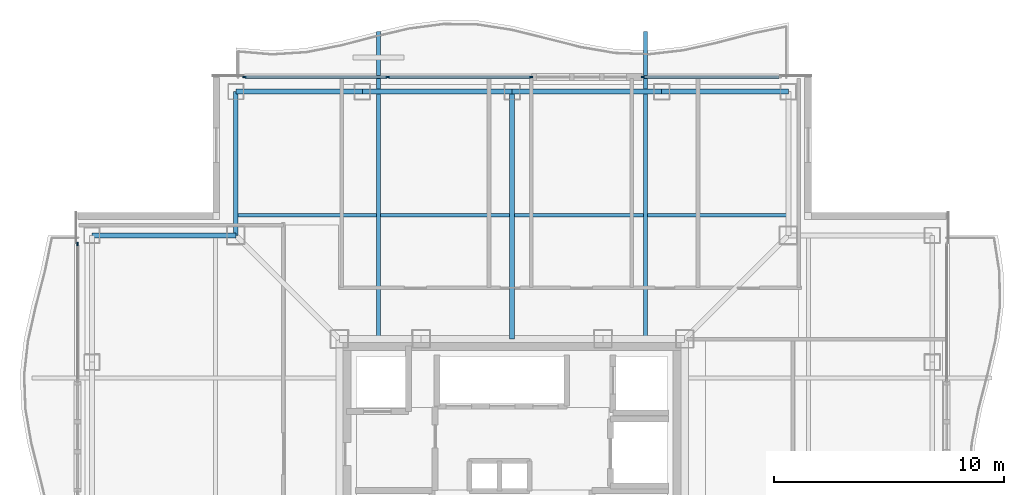
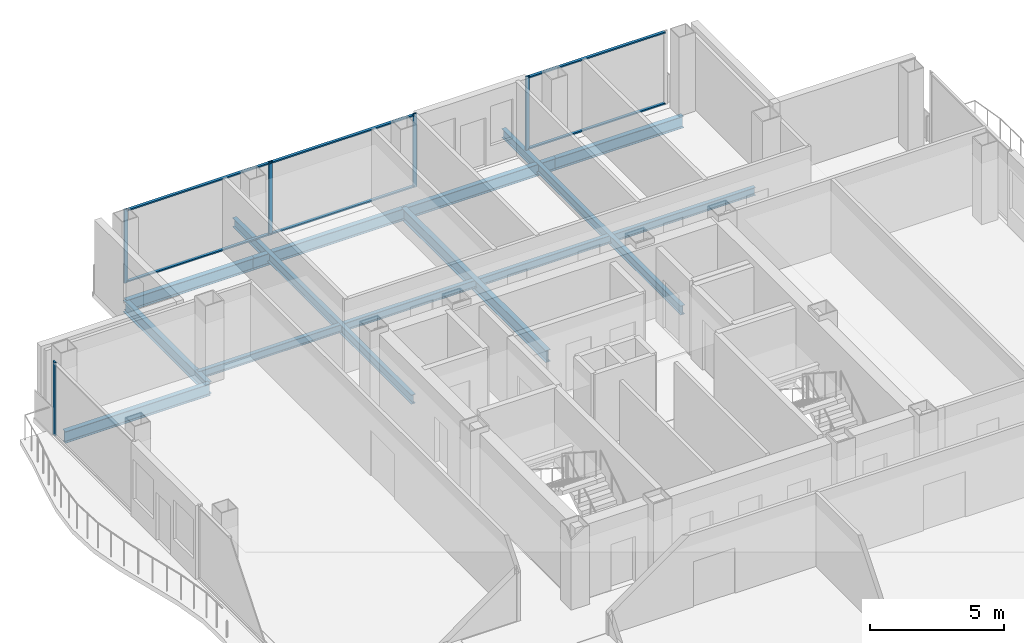
# One storey, part 7 of 17: 11 members, 10 beams, 3 elements without a shape of their own.
"""IFC4 building model written with IfcOpenShell, lengths in metres."""

from ifc_helpers import new_model, si_unit, direction, frame, origin, origin_2d, place, context, subcontext, project, spatial, rectangle, i_section, extrude, material, layer, layer_set, material_profile, profile_set, type_object, element, aggregate, save


model = new_model("IFC4")

# Units and contexts
model_context = context("Model", 3, precision=1e-05, world=origin(), true_north=direction((0.0, 1.0)))
body_context = subcontext(model_context, "Body", "Model", "MODEL_VIEW")
ifc_project = project(units=[si_unit("LENGTHUNIT", "METRE"), si_unit("AREAUNIT", "SQUARE_METRE"), si_unit("VOLUMEUNIT", "CUBIC_METRE"), si_unit("PLANEANGLEUNIT", "RADIAN"), si_unit("MASSUNIT", "GRAM", prefix="KILO")], contexts=[model_context])

# Site, building, storey
site_placement = place(None, origin())
site = spatial("IfcSite", under=ifc_project, at=site_placement, CompositionType="ELEMENT")
building_placement = place(site_placement, origin())
building = spatial("IfcBuilding", under=site, at=building_placement, Name="Trevonay Congress Spire", CompositionType="ELEMENT")
storey_placement = place(building_placement, frame((0.0, 0.0, 264.800048828125)))
storey = spatial("IfcBuildingStorey", under=building, at=storey_placement, Name="L69", CompositionType="ELEMENT", Elevation=264.800048828125)

# Beams
ifc_material_1 = material(Name="Steel ASTM A572 Grade 50", Category="steel")
ifc_material_profile_1 = material_profile(ifc_material_1, i_section(OverallWidth=0.2119140625, OverallDepth=0.5439453125, WebThickness=0.01318359375, FlangeThickness=0.021240234375, FilletRadius=0.014892578125, at=origin_2d()), Name="W530x123")
ifc_profile_set_1 = profile_set([ifc_material_profile_1], Name="Steel ASTM A572 Grade 50")
beam_type_1 = type_object("IfcBeamType", Name="BM-GIRD-W530X123", PredefinedType="BEAM", material=ifc_profile_set_1)
beam_1_placement = place(storey_placement, frame((0.0, 7.5, -0.511962890625), z_axis=(0.0, 1.0, 0.0), x_axis=(-1.0, 0.0, 0.0)))
element("IfcBeam", 1, at=beam_1_placement, inside=storey, type_object=beam_type_1, Name="L69 structural beam BM-L69-GC-N", PredefinedType="BEAM", context=body_context, shape_type="SweptSolid", body=[
    extrude(i_section(OverallWidth=0.2119140625, OverallDepth=0.5439453125, WebThickness=0.01318359375, FlangeThickness=0.021240234375, FilletRadius=0.014892578125, at=origin_2d()), origin(), (0.0, 0.0, 1.0), 10.75),
])
ifc_material_profile_2 = material_profile(ifc_material_1, i_section(OverallWidth=0.208984375, OverallDepth=0.532958984375, WebThickness=0.01025390625, FlangeThickness=0.015625, FilletRadius=0.014892578125, at=origin_2d()), Name="W530x92")
ifc_profile_set_2 = profile_set([ifc_material_profile_2], Name="Steel ASTM A572 Grade 50")
beam_type_2 = type_object("IfcBeamType", Name="BM-RING-W530X92", PredefinedType="BEAM", material=ifc_profile_set_2)
beam_2_placement = place(storey_placement, frame((-12.0, 18.25, -0.506591796875), z_axis=(1.0, 0.0, 0.0), x_axis=(0.0, 1.0, 0.0)))
element("IfcBeam", 2, at=beam_2_placement, inside=storey, type_object=beam_type_2, Name="L69 structural beam BM-L69-PN1", PredefinedType="BEAM", context=body_context, shape_type="SweptSolid", body=[
    extrude(i_section(OverallWidth=0.208984375, OverallDepth=0.532958984375, WebThickness=0.01025390625, FlangeThickness=0.015625, FilletRadius=0.014892578125, at=origin_2d()), origin(), (0.0, 0.0, 1.0), 5.5),
])
for number, where, z_axis, x_axis, name in (
    (3, (-6.5, 18.25, -0.506591796875), (1.0, 0.0, 0.0), (0.0, 1.0, 0.0), "L69 structural beam BM-L69-PN2"),
    (4, (0.0, 18.25, -0.506591796875), (1.0, 0.0, 0.0), (0.0, 1.0, 0.0), "L69 structural beam BM-L69-PN3"),
):
    element("IfcBeam", number, at=place(storey_placement, frame(where, z_axis=z_axis, x_axis=x_axis)), inside=storey, type_object=beam_type_2, Name=name, PredefinedType="BEAM", context=body_context, shape_type="SweptSolid", body=[
        extrude(i_section(OverallWidth=0.208984375, OverallDepth=0.532958984375, WebThickness=0.01025390625, FlangeThickness=0.015625, FilletRadius=0.014892578125, at=origin_2d()), origin(), (0.0, 0.0, 1.0), 6.5),
    ])
beam_3_placement = place(storey_placement, frame((6.5, 18.25, -0.506591796875), z_axis=(1.0, 0.0, 0.0), x_axis=(0.0, 1.0, 0.0)))
element("IfcBeam", 5, at=beam_3_placement, inside=storey, type_object=beam_type_2, Name="L69 structural beam BM-L69-PN4", PredefinedType="BEAM", context=body_context, shape_type="SweptSolid", body=[
    extrude(i_section(OverallWidth=0.208984375, OverallDepth=0.532958984375, WebThickness=0.01025390625, FlangeThickness=0.015625, FilletRadius=0.014892578125, at=origin_2d()), origin(), (0.0, 0.0, 1.0), 5.5),
])
for number, where, z_axis, x_axis, name in (
    (6, (-12.0, 18.25, -0.506591796875), (0.0, -1.0, 0.0), (1.0, 0.0, 0.0), "L69 structural beam BM-L69-N1NW"),
    (7, (-18.25, 12.0, -0.506591796875), (1.0, 0.0, 0.0), (0.0, 1.0, 0.0), "L69 structural beam BM-L69-N2NW"),
):
    element("IfcBeam", number, at=place(storey_placement, frame(where, z_axis=z_axis, x_axis=x_axis)), inside=storey, type_object=beam_type_2, Name=name, PredefinedType="BEAM", context=body_context, shape_type="SweptSolid", body=[
        extrude(i_section(OverallWidth=0.208984375, OverallDepth=0.532958984375, WebThickness=0.01025390625, FlangeThickness=0.015625, FilletRadius=0.014892578125, at=origin_2d()), origin(), (0.0, 0.0, 1.0), 6.25),
    ])
ifc_material_profile_3 = material_profile(ifc_material_1, i_section(OverallWidth=0.180908203125, OverallDepth=0.4169921875, WebThickness=0.010986328125, FlangeThickness=0.018310546875, FilletRadius=0.012939453125, at=origin_2d()), Name="W410x85")
ifc_profile_set_3 = profile_set([ifc_material_profile_3], Name="Steel ASTM A572 Grade 50")
beam_type_3 = type_object("IfcBeamType", Name="BM-WAV-LOOKOUT", PredefinedType="BEAM", material=ifc_profile_set_3)
for number, where, z_axis, x_axis, name in (
    (8, (-5.800048828125, 7.5, -0.448486328125), (0.0, 1.0, 0.0), (-1.0, 0.0, 0.0), "L69 structural beam WLK-L69-N1"),
    (9, (5.800048828125, 7.5, -0.448486328125), (0.0, 1.0, 0.0), (-1.0, 0.0, 0.0), "L69 structural beam WLK-L69-N2"),
):
    element("IfcBeam", number, at=place(storey_placement, frame(where, z_axis=z_axis, x_axis=x_axis)), inside=storey, type_object=beam_type_3, Name=name, PredefinedType="BEAM", context=body_context, shape_type="SweptSolid", body=[
        extrude(i_section(OverallWidth=0.180908203125, OverallDepth=0.4169921875, WebThickness=0.010986328125, FlangeThickness=0.018310546875, FilletRadius=0.012939453125, at=origin_2d()), origin(), (0.0, 0.0, 1.0), 13.35009765625),
    ])

# Curtain wall, members
ifc_material_2 = material(Name="Pale Anodised Aluminium EN AW-6063-T6", Category="aluminium")
ifc_layer = layer(ifc_material_2, 0.1650390625, Name="Pale Anodised Aluminium EN AW-6063-T6")
ifc_layer_set = layer_set([ifc_layer], Name="Pale Anodised Aluminium EN AW-6063-T6")
curtain_wall_type = type_object("IfcCurtainWallType", Name="CW-SYS05-DIPLOM-PALE-METAL", PredefinedType="NOTDEFINED", material=ifc_layer_set)
curtain_wall_1_placement = place(storey_placement, origin())
curtain_wall_1 = element("IfcCurtainWall", 10, at=curtain_wall_1_placement, inside=storey, type_object=curtain_wall_type, Name="L69 NA unitised curtain wall", PredefinedType="NOTDEFINED")
ifc_material_profile_4 = material_profile(ifc_material_2, rectangle(XDim=0.06005859375, YDim=0.159912109375, at=origin_2d()), Name="CW-MULLION-160-ALUMINIUM")
ifc_profile_set_4 = profile_set([ifc_material_profile_4], Name="Pale Anodised Aluminium EN AW-6063-T6")
member_type_1 = type_object("IfcMemberType", Name="CW-MULLION-160-ALUMINIUM", PredefinedType="MULLION", material=ifc_profile_set_4)
member_1_placement = place(storey_placement, frame((-11.6201171875, 18.8798828125, 0.0), z_axis=(0.0, 0.0, 1.0), x_axis=(0.0, 1.0, 0.0)))
member_1 = element("IfcMember", 11, at=member_1_placement, type_object=member_type_1, Name="CW05 mullion 1", PredefinedType="MULLION", context=body_context, shape_type="SweptSolid", body=[
    extrude(rectangle(XDim=0.06005859375, YDim=0.159912109375, at=origin_2d()), origin(), (0.0, 0.0, 1.0), 3.35986328125),
])
member_2_placement = place(storey_placement, frame((-5.39990234375, 18.8798828125, 0.0), z_axis=(0.0, 0.0, 1.0), x_axis=(0.0, 1.0, 0.0)))
member_2 = element("IfcMember", 12, at=member_2_placement, type_object=member_type_1, Name="CW05 mullion 2", PredefinedType="MULLION", context=body_context, shape_type="SweptSolid", body=[
    extrude(rectangle(XDim=0.06005859375, YDim=0.159912109375, at=origin_2d()), origin(), (0.0, 0.0, 1.0), 3.35986328125),
])
member_3_placement = place(storey_placement, frame((0.820068359375, 18.8798828125, 0.0), z_axis=(0.0, 0.0, 1.0), x_axis=(0.0, 1.0, 0.0)))
member_3 = element("IfcMember", 13, at=member_3_placement, type_object=member_type_1, Name="CW05 mullion 3", PredefinedType="MULLION", context=body_context, shape_type="SweptSolid", body=[
    extrude(rectangle(XDim=0.06005859375, YDim=0.159912109375, at=origin_2d()), origin(), (0.0, 0.0, 1.0), 3.35986328125),
])

# Curtain wall, member
curtain_wall_2_placement = place(storey_placement, origin())
curtain_wall_2 = element("IfcCurtainWall", 14, at=curtain_wall_2_placement, inside=storey, type_object=curtain_wall_type, Name="L69 NB unitised curtain wall", PredefinedType="NOTDEFINED")
member_4_placement = place(storey_placement, frame((5.679931640625, 18.8798828125, 0.0), z_axis=(0.0, 0.0, 1.0), x_axis=(0.0, 1.0, 0.0)))
member_4 = element("IfcMember", 15, at=member_4_placement, type_object=member_type_1, Name="CW05 mullion 1", PredefinedType="MULLION", context=body_context, shape_type="SweptSolid", body=[
    extrude(rectangle(XDim=0.06005859375, YDim=0.159912109375, at=origin_2d()), origin(), (0.0, 0.0, 1.0), 3.35986328125),
])

curtain_wall_3_placement = place(storey_placement, origin())
curtain_wall_3 = element("IfcCurtainWall", 16, at=curtain_wall_3_placement, inside=storey, type_object=curtain_wall_type, Name="L69 WB unitised curtain wall", PredefinedType="NOTDEFINED")
member_5_placement = place(storey_placement, frame((-18.8798828125, 11.6201171875, 0.0), z_axis=(0.0, 0.0, 1.0), x_axis=(-1.0, 0.0, 0.0)))
member_5 = element("IfcMember", 17, at=member_5_placement, type_object=member_type_1, Name="CW05 mullion 2", PredefinedType="MULLION", context=body_context, shape_type="SweptSolid", body=[
    extrude(rectangle(XDim=0.06005859375, YDim=0.159912109375, at=origin_2d()), origin(), (0.0, 0.0, 1.0), 3.35986328125),
])
aggregate(curtain_wall_3, [member_5])

# Member
ifc_material_profile_5 = material_profile(ifc_material_2, rectangle(XDim=0.1201171875, YDim=0.06005859375, at=origin_2d()), Name="CW-TRANSOM-120-ALUMINIUM")
ifc_profile_set_5 = profile_set([ifc_material_profile_5], Name="Pale Anodised Aluminium EN AW-6063-T6")
member_type_2 = type_object("IfcMemberType", Name="CW-TRANSOM-120-ALUMINIUM", PredefinedType="USERDEFINED", material=ifc_profile_set_5)
member_6_placement = place(storey_placement, frame((-11.590087890625, 18.8798828125, 0.06005859375), z_axis=(1.0, 0.0, 0.0), x_axis=(0.0, 1.0, 0.0)))
member_6 = element("IfcMember", 18, at=member_6_placement, type_object=member_type_2, Name="CW05 transom 1.1", ObjectType="TRANSOM", PredefinedType="USERDEFINED", context=body_context, shape_type="SweptSolid", body=[
    extrude(rectangle(XDim=0.1201171875, YDim=0.06005859375, at=origin_2d()), origin(), (0.0, 0.0, 1.0), 6.16015625),
])

member_7_placement = place(storey_placement, frame((-11.590087890625, 18.8798828125, 3.300048828125), z_axis=(1.0, 0.0, 0.0), x_axis=(0.0, 1.0, 0.0)))
member_7 = element("IfcMember", 19, at=member_7_placement, type_object=member_type_2, Name="CW05 transom 1.2", ObjectType="TRANSOM", PredefinedType="USERDEFINED", context=body_context, shape_type="SweptSolid", body=[
    extrude(rectangle(XDim=0.1201171875, YDim=0.06005859375, at=origin_2d()), origin(), (0.0, 0.0, 1.0), 6.16015625),
])

member_8_placement = place(storey_placement, frame((-5.3701171875, 18.8798828125, 0.06005859375), z_axis=(1.0, 0.0, 0.0), x_axis=(0.0, 1.0, 0.0)))
member_8 = element("IfcMember", 20, at=member_8_placement, type_object=member_type_2, Name="CW05 transom 2.1", ObjectType="TRANSOM", PredefinedType="USERDEFINED", context=body_context, shape_type="SweptSolid", body=[
    extrude(rectangle(XDim=0.1201171875, YDim=0.06005859375, at=origin_2d()), origin(), (0.0, 0.0, 1.0), 6.16015625),
])

member_9_placement = place(storey_placement, frame((-5.3701171875, 18.8798828125, 3.300048828125), z_axis=(1.0, 0.0, 0.0), x_axis=(0.0, 1.0, 0.0)))
member_9 = element("IfcMember", 21, at=member_9_placement, type_object=member_type_2, Name="CW05 transom 2.2", ObjectType="TRANSOM", PredefinedType="USERDEFINED", context=body_context, shape_type="SweptSolid", body=[
    extrude(rectangle(XDim=0.1201171875, YDim=0.06005859375, at=origin_2d()), origin(), (0.0, 0.0, 1.0), 6.16015625),
])

aggregate(curtain_wall_1, [member_1, member_2, member_3, member_6, member_7, member_8, member_9])

member_10_placement = place(storey_placement, frame((5.7099609375, 18.8798828125, 0.06005859375), z_axis=(1.0, 0.0, 0.0), x_axis=(0.0, 1.0, 0.0)))
member_10 = element("IfcMember", 22, at=member_10_placement, type_object=member_type_2, Name="CW05 transom 1.1", ObjectType="TRANSOM", PredefinedType="USERDEFINED", context=body_context, shape_type="SweptSolid", body=[
    extrude(rectangle(XDim=0.1201171875, YDim=0.06005859375, at=origin_2d()), origin(), (0.0, 0.0, 1.0), 5.880126953125),
])

member_11_placement = place(storey_placement, frame((5.7099609375, 18.8798828125, 3.300048828125), z_axis=(1.0, 0.0, 0.0), x_axis=(0.0, 1.0, 0.0)))
member_11 = element("IfcMember", 23, at=member_11_placement, type_object=member_type_2, Name="CW05 transom 1.2", ObjectType="TRANSOM", PredefinedType="USERDEFINED", context=body_context, shape_type="SweptSolid", body=[
    extrude(rectangle(XDim=0.1201171875, YDim=0.06005859375, at=origin_2d()), origin(), (0.0, 0.0, 1.0), 5.880126953125),
])

aggregate(curtain_wall_2, [member_4, member_10, member_11])

# Beam
ifc_material_profile_6 = material_profile(ifc_material_1, i_section(OverallWidth=0.172119140625, OverallDepth=0.35791015625, WebThickness=0.0078125, FlangeThickness=0.01318359375, FilletRadius=0.011962890625, at=origin_2d()), Name="W360x57.8")
ifc_profile_set_6 = profile_set([ifc_material_profile_6], Name="Steel ASTM A572 Grade 50")
beam_type_4 = type_object("IfcBeamType", Name="JS-COMP-W360X57", PredefinedType="JOIST", material=ifc_profile_set_6)
beam_4_placement = place(storey_placement, frame((-12.0, 12.875, -0.4189453125), z_axis=(1.0, 0.0, 0.0), x_axis=(0.0, 1.0, 0.0)))
element("IfcBeam", 24, at=beam_4_placement, inside=storey, type_object=beam_type_4, Name="L69 structural beam JS-L69-RING-N", PredefinedType="JOIST", context=body_context, shape_type="SweptSolid", body=[
    extrude(i_section(OverallWidth=0.172119140625, OverallDepth=0.35791015625, WebThickness=0.0078125, FlangeThickness=0.01318359375, FilletRadius=0.011962890625, at=origin_2d()), origin(), (0.0, 0.0, 1.0), 24.0),
])

save(model, "model.ifc")
